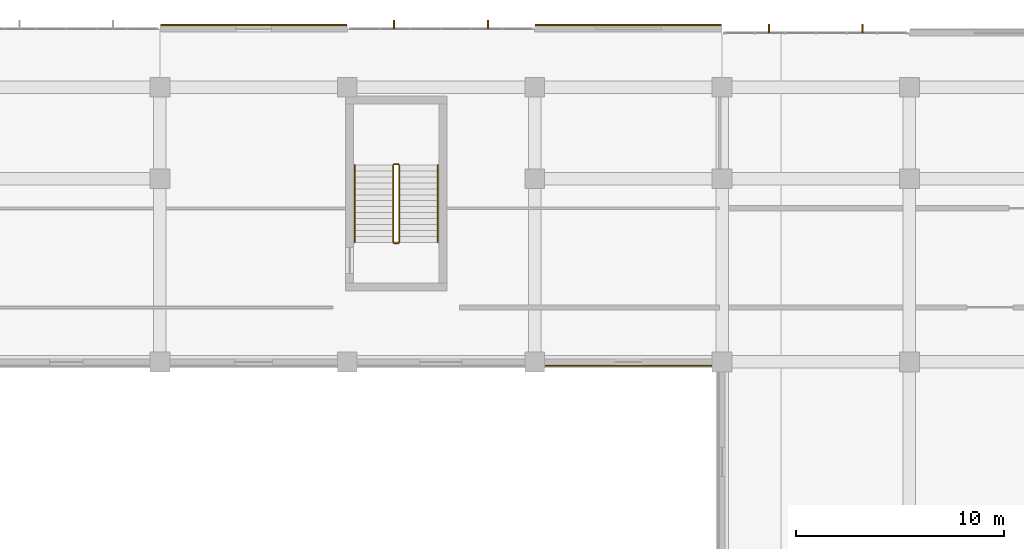
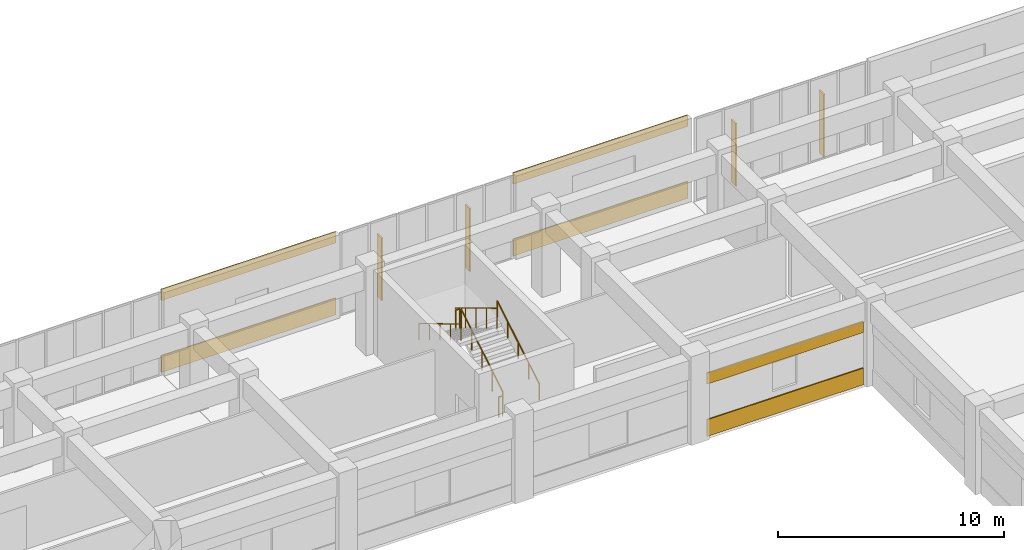
# One storey, part 82 of 86: 6 coverings, 6 railings, 4 shading devices.
"""IFC4 building model written with IfcOpenShell, lengths in metres."""

from ifc_helpers import new_model, si_unit, direction, frame, origin, origin_2d, place, context, subcontext, project, spatial, rectangle, circle, extrude, material, layer, layer_set, type_object, element, save


model = new_model("IFC4")

# Units and contexts
model_context = context("Model", 3, precision=1e-05, world=origin(), true_north=direction((0.0, 1.0)))
body_context = subcontext(model_context, "Body", "Model", "MODEL_VIEW")
ifc_project = project(units=[si_unit("LENGTHUNIT", "METRE"), si_unit("AREAUNIT", "SQUARE_METRE"), si_unit("VOLUMEUNIT", "CUBIC_METRE"), si_unit("PLANEANGLEUNIT", "RADIAN"), si_unit("MASSUNIT", "GRAM", prefix="KILO")], contexts=[model_context])

# Site, building, storey
site_placement = place(None, origin())
site = spatial("IfcSite", under=ifc_project, at=site_placement, CompositionType="ELEMENT")
building_placement = place(site_placement, origin())
building = spatial("IfcBuilding", under=site, at=building_placement, Name="Cendralis Terraced Arcade", CompositionType="ELEMENT")
storey_placement = place(building_placement, frame((0.0, 0.0, 5.39990234375)))
storey = spatial("IfcBuildingStorey", under=building, at=storey_placement, Name="L01", CompositionType="ELEMENT", Elevation=5.39990234375)

# Coverings
ifc_material_1 = material(Name="Precast concrete f'c 40 MPa", Category="concrete")
ifc_layer = layer(ifc_material_1, 0.06494140625, Name="COV-CLAD-GRC-65")
ifc_layer_set = layer_set([ifc_layer], Name="Precast concrete f'c 40 MPa")
covering_type = type_object("IfcCoveringType", Name="COV-CLAD-GRC-65", PredefinedType="CLADDING", material=ifc_layer_set)
covering_1_placement = place(storey_placement, frame((98.699951171875, 114.580078125, 0.000244140625), z_axis=(0.0, 0.0, 1.0), x_axis=(1.0, 0.0, 0.0)))
element("IfcCovering", 1, at=covering_1_placement, inside=storey, type_object=covering_type, Name="Banded Precast Stone Spandrel Cladding L01-143", PredefinedType="CLADDING", context=body_context, shape_type="SweptSolid", body=[
    extrude(rectangle(XDim=8.93994140625, YDim=0.06494140625, at=origin_2d()), origin(), (0.0, 0.0, 1.0), 0.89990234375),
])
covering_2_placement = place(storey_placement, frame((98.699951171875, 114.580078125, 3.885009765625), z_axis=(0.0, 0.0, 1.0), x_axis=(1.0, 0.0, 0.0)))
element("IfcCovering", 2, at=covering_2_placement, inside=storey, type_object=covering_type, Name="Banded Precast Stone Lintel Cladding L01-144", PredefinedType="CLADDING", context=body_context, shape_type="SweptSolid", body=[
    extrude(rectangle(XDim=8.93994140625, YDim=0.06494140625, at=origin_2d()), origin(), (0.0, 0.0, 1.0), 0.60009765625),
])
covering_3_placement = place(storey_placement, frame((116.699951171875, 114.580078125, 0.000244140625), z_axis=(0.0, 0.0, 1.0), x_axis=(1.0, 0.0, 0.0)))
element("IfcCovering", 3, at=covering_3_placement, inside=storey, type_object=covering_type, Name="Banded Precast Stone Spandrel Cladding L01-145", PredefinedType="CLADDING", context=body_context, shape_type="SweptSolid", body=[
    extrude(rectangle(XDim=8.93994140625, YDim=0.06494140625, at=origin_2d()), origin(), (0.0, 0.0, 1.0), 0.89990234375),
])
covering_4_placement = place(storey_placement, frame((116.699951171875, 114.580078125, 3.885009765625), z_axis=(0.0, 0.0, 1.0), x_axis=(1.0, 0.0, 0.0)))
element("IfcCovering", 4, at=covering_4_placement, inside=storey, type_object=covering_type, Name="Banded Precast Stone Lintel Cladding L01-146", PredefinedType="CLADDING", context=body_context, shape_type="SweptSolid", body=[
    extrude(rectangle(XDim=8.93994140625, YDim=0.06494140625, at=origin_2d()), origin(), (0.0, 0.0, 1.0), 0.60009765625),
])
covering_5_placement = place(storey_placement, frame((116.699951171875, 98.219970703125, 0.000244140625), z_axis=(0.0, 0.0, 1.0), x_axis=(-1.0, 0.0, 0.0)))
element("IfcCovering", 5, at=covering_5_placement, inside=storey, type_object=covering_type, Name="Banded Precast Stone Spandrel Cladding L01-215", PredefinedType="CLADDING", context=body_context, shape_type="SweptSolid", body=[
    extrude(rectangle(XDim=7.993896484375, YDim=0.06494140625, at=origin_2d()), origin(), (0.0, 0.0, 1.0), 0.89990234375),
])
covering_6_placement = place(storey_placement, frame((116.699951171875, 98.219970703125, 2.824951171875), z_axis=(0.0, 0.0, 1.0), x_axis=(-1.0, 0.0, 0.0)))
element("IfcCovering", 6, at=covering_6_placement, inside=storey, type_object=covering_type, Name="Banded Precast Stone Lintel Cladding L01-216", PredefinedType="CLADDING", context=body_context, shape_type="SweptSolid", body=[
    extrude(rectangle(XDim=7.993896484375, YDim=0.06494140625, at=origin_2d()), origin(), (0.0, 0.0, 1.0), 0.60009765625),
])

# Railings
ifc_material_2 = material(Name="Brushed stainless steel AISI 316", Category="steel")
railing_type_1 = type_object("IfcRailingType", Name="RL-STAIR-GUARD-1100", PredefinedType="GUARDRAIL", material=ifc_material_2)
railing_1_placement = place(storey_placement, frame((105.699951171875, 104.14990234375, 0.171630859375)))
element("IfcRailing", 7, at=railing_1_placement, inside=storey, type_object=railing_type_1, Name="L01 ST-10 stair guard 1", PredefinedType="GUARDRAIL", context=body_context, shape_type="SweptSolid", body=[
    extrude(circle(Radius=0.02392578125, at=origin_2d()), frame((0.0, 0.0, 1.076171875), z_axis=(0.0, 0.856934400257, 0.515425487977), x_axis=(-1.0, 0.0, 0.0)), (0.0, 0.0, 1.0), 4.32373046875),
    extrude(circle(Radius=0.02099609375, at=origin_2d()), origin(), (0.0, 0.0, 1.0), 1.052001953125),
    extrude(circle(Radius=0.02099609375, at=origin_2d()), frame((0.0, 0.92626953125, 0.55712890625)), (0.0, 0.0, 1.0), 1.052001953125),
    extrude(circle(Radius=0.02099609375, at=origin_2d()), frame((0.0, 1.8525390625, 1.1142578125)), (0.0, 0.0, 1.0), 1.052001953125),
    extrude(circle(Radius=0.02099609375, at=origin_2d()), frame((0.0, 2.77880859375, 1.67138671875)), (0.0, 0.0, 1.0), 1.052001953125),
    extrude(circle(Radius=0.02099609375, at=origin_2d()), frame((0.0, 3.705078125, 2.228515625)), (0.0, 0.0, 1.0), 1.052001953125),
])
railing_2_placement = place(storey_placement, frame((105.64990234375, 107.905029296875, 2.400146484375)))
element("IfcRailing", 8, at=railing_2_placement, inside=storey, type_object=railing_type_1, Name="L01 ST-10 stair guard 2", PredefinedType="GUARDRAIL", context=body_context, shape_type="SweptSolid", body=[
    extrude(circle(Radius=0.02392578125, at=origin_2d()), frame((0.0, 0.0, 1.076171875), z_axis=(-1.0, 0.0, 0.0), x_axis=(0.0, -1.0, 0.0)), (0.0, 0.0, 1.0), 0.199951171875),
    extrude(circle(Radius=0.02099609375, at=origin_2d()), origin(), (0.0, 0.0, 1.0), 1.052001953125),
    extrude(circle(Radius=0.02099609375, at=origin_2d()), frame((-0.199951171875, 0.0, 0.0)), (0.0, 0.0, 1.0), 1.052001953125),
])
railing_3_placement = place(storey_placement, frame((105.39990234375, 107.85498046875, 2.571533203125)))
element("IfcRailing", 9, at=railing_3_placement, inside=storey, type_object=railing_type_1, Name="L01 ST-10 stair guard 3", PredefinedType="GUARDRAIL", context=body_context, shape_type="SweptSolid", body=[
    extrude(circle(Radius=0.02392578125, at=origin_2d()), frame((0.0, 0.0, 1.076171875), z_axis=(0.0, -0.856934400257, 0.515425487977), x_axis=(1.0, 0.0, 0.0)), (0.0, 0.0, 1.0), 4.32373046875),
    extrude(circle(Radius=0.02099609375, at=origin_2d()), origin(), (0.0, 0.0, 1.0), 1.052001953125),
    extrude(circle(Radius=0.02099609375, at=origin_2d()), frame((0.0, -0.92626953125, 0.55712890625)), (0.0, 0.0, 1.0), 1.052001953125),
    extrude(circle(Radius=0.02099609375, at=origin_2d()), frame((0.0, -1.8525390625, 1.1142578125)), (0.0, 0.0, 1.0), 1.052001953125),
    extrude(circle(Radius=0.02099609375, at=origin_2d()), frame((0.0, -2.77880859375, 1.67138671875)), (0.0, 0.0, 1.0), 1.052001953125),
    extrude(circle(Radius=0.02099609375, at=origin_2d()), frame((0.0, -3.705078125, 2.228515625)), (0.0, 0.0, 1.0), 1.052001953125),
])
railing_4_placement = place(storey_placement, frame((105.64990234375, 104.10009765625, 0.0)))
element("IfcRailing", 10, at=railing_4_placement, inside=storey, type_object=railing_type_1, Name="L01 ST-10 stair guard 4", PredefinedType="GUARDRAIL", context=body_context, shape_type="SweptSolid", body=[
    extrude(circle(Radius=0.02392578125, at=origin_2d()), frame((0.0, 0.0, 1.076171875), z_axis=(-1.0, 0.0, 0.0), x_axis=(0.0, -1.0, 0.0)), (0.0, 0.0, 1.0), 0.199951171875),
    extrude(circle(Radius=0.02099609375, at=origin_2d()), origin(), (0.0, 0.0, 1.0), 1.052001953125),
    extrude(circle(Radius=0.02099609375, at=origin_2d()), frame((-0.199951171875, 0.0, 0.0)), (0.0, 0.0, 1.0), 1.052001953125),
])
railing_type_2 = type_object("IfcRailingType", Name="RL-STAIR-HAND-900", PredefinedType="HANDRAIL", material=ifc_material_2)
railing_5_placement = place(storey_placement, frame((107.550048828125, 104.14990234375, 0.171630859375)))
element("IfcRailing", 11, at=railing_5_placement, inside=storey, type_object=railing_type_2, Name="L01 ST-10 stair handrail 1", PredefinedType="HANDRAIL", context=body_context, shape_type="SweptSolid", body=[
    extrude(circle(Radius=0.02392578125, at=origin_2d()), frame((0.0, 0.0, 0.8759765625), z_axis=(0.0, 0.856934400257, 0.515425487977), x_axis=(-1.0, 0.0, 0.0)), (0.0, 0.0, 1.0), 4.32373046875),
    extrude(circle(Radius=0.02099609375, at=origin_2d()), origin(), (0.0, 0.0, 1.0), 0.851806640625),
    extrude(circle(Radius=0.02099609375, at=origin_2d()), frame((0.0, 0.92626953125, 0.55712890625)), (0.0, 0.0, 1.0), 0.851806640625),
    extrude(circle(Radius=0.02099609375, at=origin_2d()), frame((0.0, 1.8525390625, 1.1142578125)), (0.0, 0.0, 1.0), 0.851806640625),
    extrude(circle(Radius=0.02099609375, at=origin_2d()), frame((0.0, 2.77880859375, 1.67138671875)), (0.0, 0.0, 1.0), 0.851806640625),
    extrude(circle(Radius=0.02099609375, at=origin_2d()), frame((0.0, 3.705078125, 2.228515625)), (0.0, 0.0, 1.0), 0.851806640625),
])
railing_6_placement = place(storey_placement, frame((103.550048828125, 107.85498046875, 2.571533203125)))
element("IfcRailing", 12, at=railing_6_placement, inside=storey, type_object=railing_type_2, Name="L01 ST-10 stair handrail 2", PredefinedType="HANDRAIL", context=body_context, shape_type="SweptSolid", body=[
    extrude(circle(Radius=0.02392578125, at=origin_2d()), frame((0.0, 0.0, 0.8759765625), z_axis=(0.0, -0.856934400257, 0.515425487977), x_axis=(1.0, 0.0, 0.0)), (0.0, 0.0, 1.0), 4.32373046875),
    extrude(circle(Radius=0.02099609375, at=origin_2d()), origin(), (0.0, 0.0, 1.0), 0.851806640625),
    extrude(circle(Radius=0.02099609375, at=origin_2d()), frame((0.0, -0.92626953125, 0.55712890625)), (0.0, 0.0, 1.0), 0.851806640625),
    extrude(circle(Radius=0.02099609375, at=origin_2d()), frame((0.0, -1.8525390625, 1.1142578125)), (0.0, 0.0, 1.0), 0.851806640625),
    extrude(circle(Radius=0.02099609375, at=origin_2d()), frame((0.0, -2.77880859375, 1.67138671875)), (0.0, 0.0, 1.0), 0.851806640625),
    extrude(circle(Radius=0.02099609375, at=origin_2d()), frame((0.0, -3.705078125, 2.228515625)), (0.0, 0.0, 1.0), 0.851806640625),
])

# Shading devices
ifc_material_3 = material(Name="Anodised aluminium EN AW-6063 T6", Category="aluminium")
shading_device_type = type_object("IfcShadingDeviceType", Name="SHD-FIN-420", PredefinedType="USERDEFINED", material=ifc_material_3)
for number, where, z_axis, x_axis, name in (
    (13, (105.449951171875, 114.614990234375, 0.050048828125), (0.0, 0.0, 1.0), (1.0, 0.0, 0.0), "Parametric Vertical Solar Fin FIN-L01-009"),
    (14, (109.949951171875, 114.614990234375, 0.050048828125), (0.0, 0.0, 1.0), (1.0, 0.0, 0.0), "Parametric Vertical Solar Fin FIN-L01-010"),
    (15, (123.449951171875, 114.4150390625, 0.050048828125), (0.0, 0.0, 1.0), (1.0, 0.0, 0.0), "Parametric Vertical Solar Fin FIN-L01-011"),
    (16, (127.949951171875, 114.4150390625, 0.050048828125), (0.0, 0.0, 1.0), (1.0, 0.0, 0.0), "Parametric Vertical Solar Fin FIN-L01-012"),
):
    element("IfcShadingDevice", number, at=place(storey_placement, frame(where, z_axis=z_axis, x_axis=x_axis)), inside=storey, type_object=shading_device_type, Name=name, ObjectType="FIN", PredefinedType="USERDEFINED", context=body_context, shape_type="SweptSolid", body=[
        extrude(rectangle(XDim=0.074951171875, YDim=0.419921875, at=origin_2d()), origin(), (0.0, 0.0, 1.0), 3.39990234375),
    ])

save(model, "model.ifc")
